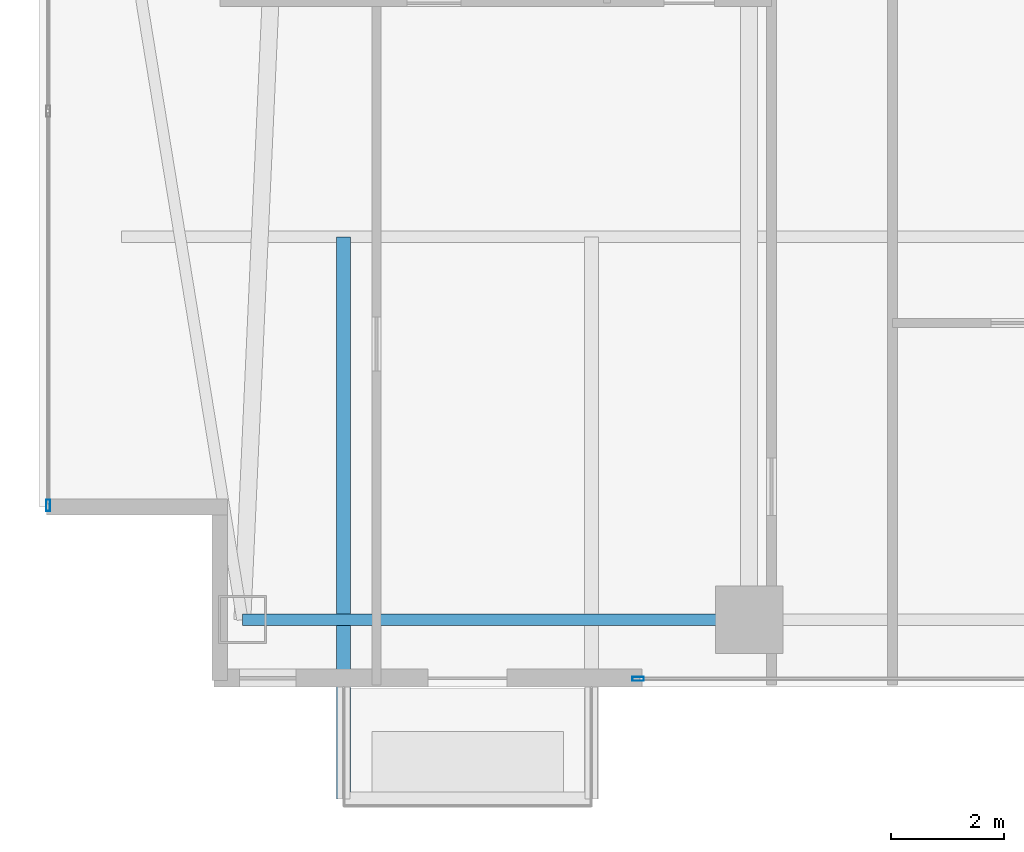
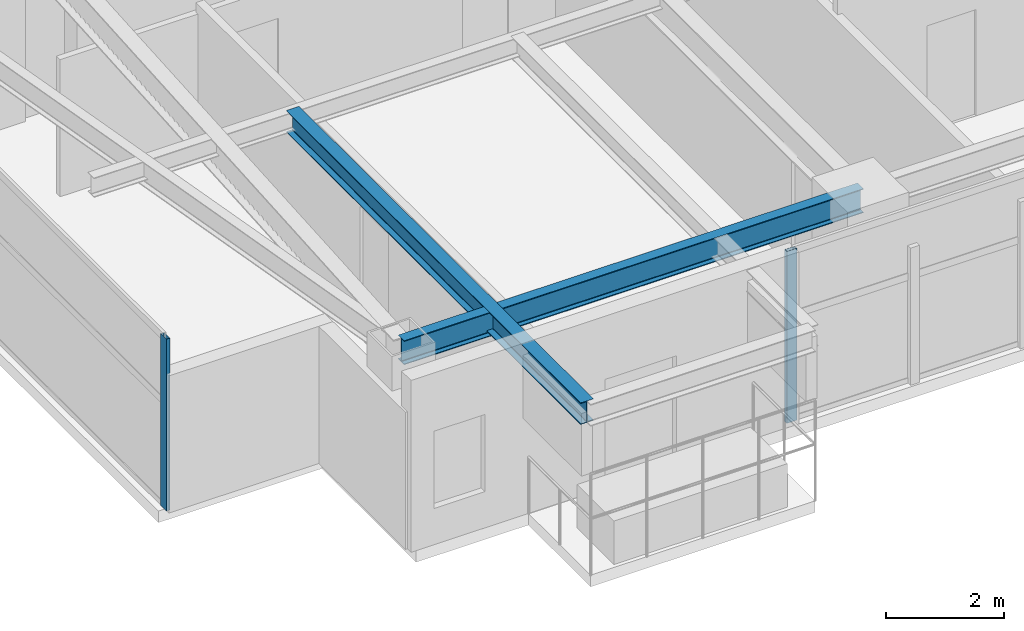
# One storey, part 2 of 28: 2 beams, 2 members, 2 elements without a shape of their own.
"""IFC4 building model written with IfcOpenShell, lengths in metres."""

from ifc_helpers import new_model, si_unit, direction, frame, origin, origin_2d, place, context, subcontext, project, spatial, hollow_rectangle, i_section, extrude, material, layer, layer_set, material_profile, profile_set, type_object, element, aggregate, save


model = new_model("IFC4")

# Units and contexts
model_context = context("Model", 3, precision=1e-05, world=origin(), true_north=direction((0.0, 1.0)))
body_context = subcontext(model_context, "Body", "Model", "MODEL_VIEW")
ifc_project = project(units=[si_unit("LENGTHUNIT", "METRE"), si_unit("AREAUNIT", "SQUARE_METRE"), si_unit("VOLUMEUNIT", "CUBIC_METRE"), si_unit("PLANEANGLEUNIT", "RADIAN"), si_unit("MASSUNIT", "GRAM", prefix="KILO")], contexts=[model_context])

# Site, building, storey
site_placement = place(None, origin())
site = spatial("IfcSite", under=ifc_project, at=site_placement, CompositionType="ELEMENT")
building_placement = place(site_placement, origin())
building = spatial("IfcBuilding", under=site, at=building_placement, Name="Calvorn Quay Hotel", CompositionType="ELEMENT")
storey_placement = place(building_placement, frame((0.0, 0.0, 116.39990234375)))
storey = spatial("IfcBuildingStorey", under=building, at=storey_placement, Name="L28", CompositionType="ELEMENT", Elevation=116.39990234375)

# Beams
ifc_material_1 = material(Name="Steel Q355B", Category="steel")
ifc_material_profile_1 = material_profile(ifc_material_1, i_section(OverallWidth=0.25, OverallDepth=0.449951171875, WebThickness=0.011962890625, FlangeThickness=0.01611328125, FilletRadius=0.01611328125, at=origin_2d()), Name="HN450x250x12x16")
ifc_profile_set_1 = profile_set([ifc_material_profile_1], Name="Steel Q355B")
beam_type_1 = type_object("IfcBeamType", Name="BM-CANT-BALC", PredefinedType="BEAM", material=ifc_profile_set_1)
beam_1_placement = place(storey_placement, frame((5.39990234375, 10.39990234375, 3.315185546875), z_axis=(0.0, -1.0, 0.0), x_axis=(1.0, 0.0, 0.0)))
element("IfcBeam", 1, at=beam_1_placement, inside=storey, type_object=beam_type_1, Name="Cantilever Balcony Beam BCB-L29-2A", PredefinedType="BEAM", context=body_context, shape_type="SweptSolid", body=[
    extrude(i_section(OverallWidth=0.25, OverallDepth=0.449951171875, WebThickness=0.011962890625, FlangeThickness=0.01611328125, FilletRadius=0.01611328125, at=origin_2d()), origin(), (0.0, 0.0, 1.0), 9.989990234375),
])
ifc_material_2 = material(Name="Steel Q355B", Category="steel")
ifc_material_profile_2 = material_profile(ifc_material_2, i_section(OverallWidth=0.199951171875, OverallDepth=0.5, WebThickness=0.010009765625, FlangeThickness=0.01611328125, FilletRadius=0.01611328125, at=origin_2d()), Name="HN500x200x10x16")
ifc_profile_set_2 = profile_set([ifc_material_profile_2], Name="Steel Q355B")
beam_type_2 = type_object("IfcBeamType", Name="BM-SPANDREL-Z1", PredefinedType="SPANDREL", material=ifc_profile_set_2)
beam_2_placement = place(storey_placement, frame((3.60009765625, 3.60009765625, 3.2900390625), z_axis=(1.0, 0.0, 0.0), x_axis=(0.0, 1.0, 0.0)))
element("IfcBeam", 2, at=beam_2_placement, inside=storey, type_object=beam_type_2, Name="Beam BSP-L28-S1", PredefinedType="SPANDREL", context=body_context, shape_type="SweptSolid", body=[
    extrude(i_section(OverallWidth=0.199951171875, OverallDepth=0.5, WebThickness=0.010009765625, FlangeThickness=0.01611328125, FilletRadius=0.01611328125, at=origin_2d()), origin(), (0.0, 0.0, 1.0), 9.0),
])

# Curtain wall, member
ifc_material_3 = material(Name="Pale Anodised Aluminium and Low-E Glass", Category="aluminium")
ifc_layer = layer(ifc_material_3, 0.219970703125)
ifc_layer_set = layer_set([ifc_layer], Name="CW-SYS-Z2")
curtain_wall_type = type_object("IfcCurtainWallType", Name="CW-SYS-Z2", PredefinedType="NOTDEFINED", material=ifc_layer_set)
curtain_wall_1_placement = place(storey_placement, origin())
curtain_wall_1 = element("IfcCurtainWall", 3, at=curtain_wall_1_placement, inside=storey, type_object=curtain_wall_type, Name="Tower West Curtain Wall (L28)", PredefinedType="NOTDEFINED")
ifc_material_4 = material(Name="Pale Anodised Aluminium 6063-T6", Category="aluminium")
ifc_material_profile_3 = material_profile(ifc_material_4, hollow_rectangle(XDim=0.070068359375, YDim=0.199951171875, WallThickness=0.00390625, at=origin_2d()), Name="ALU-M200x70x4")
ifc_profile_set_3 = profile_set([ifc_material_profile_3], Name="Pale Anodised Aluminium 6063-T6")
member_type = type_object("IfcMemberType", Name="CW-SYS-Z2-MUL", PredefinedType="MULLION", material=ifc_profile_set_3)
member_1_placement = place(storey_placement, frame((0.14990234375, 5.6298828125, 0.0), z_axis=(0.0, 0.0, 1.0), x_axis=(-1.0, 0.0, 0.0)))
member_1 = element("IfcMember", 4, at=member_1_placement, type_object=member_type, Name="CW-L28-W mullion 1", PredefinedType="MULLION", context=body_context, shape_type="SweptSolid", body=[
    extrude(hollow_rectangle(XDim=0.070068359375, YDim=0.199951171875, WallThickness=0.00390625, at=origin_2d()), origin(), (0.0, 0.0, 1.0), 3.56005859375),
])
aggregate(curtain_wall_1, [member_1])

curtain_wall_2_placement = place(storey_placement, origin())
curtain_wall_2 = element("IfcCurtainWall", 5, at=curtain_wall_2_placement, inside=storey, type_object=curtain_wall_type, Name="Tower South Waterfront Curtain Wall (L28)", PredefinedType="NOTDEFINED")
member_2_placement = place(storey_placement, frame((10.6298828125, 2.550048828125, 0.0), z_axis=(0.0, 0.0, 1.0), x_axis=(0.0, 1.0, 0.0)))
member_2 = element("IfcMember", 6, at=member_2_placement, type_object=member_type, Name="CW-L28-S mullion 1", PredefinedType="MULLION", context=body_context, shape_type="SweptSolid", body=[
    extrude(hollow_rectangle(XDim=0.070068359375, YDim=0.199951171875, WallThickness=0.00390625, at=origin_2d()), origin(), (0.0, 0.0, 1.0), 3.56005859375),
])
aggregate(curtain_wall_2, [member_2])

save(model, "model.ifc")
